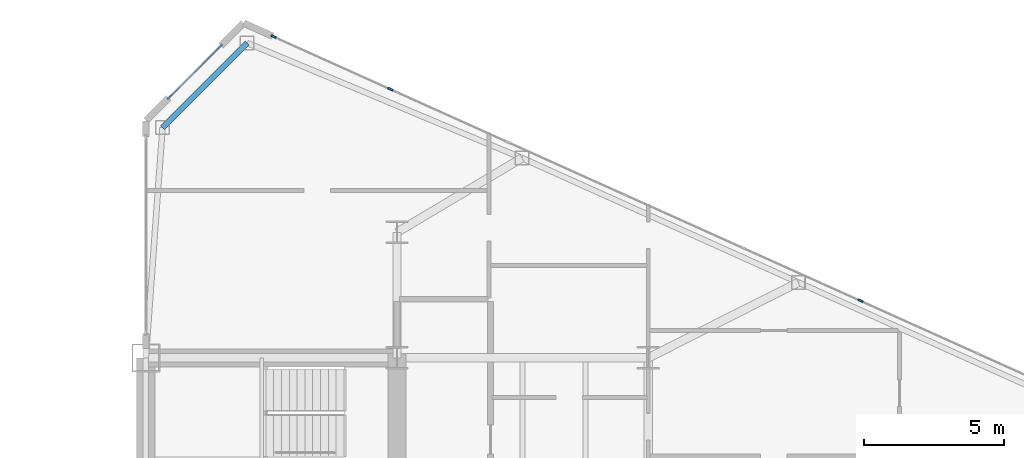
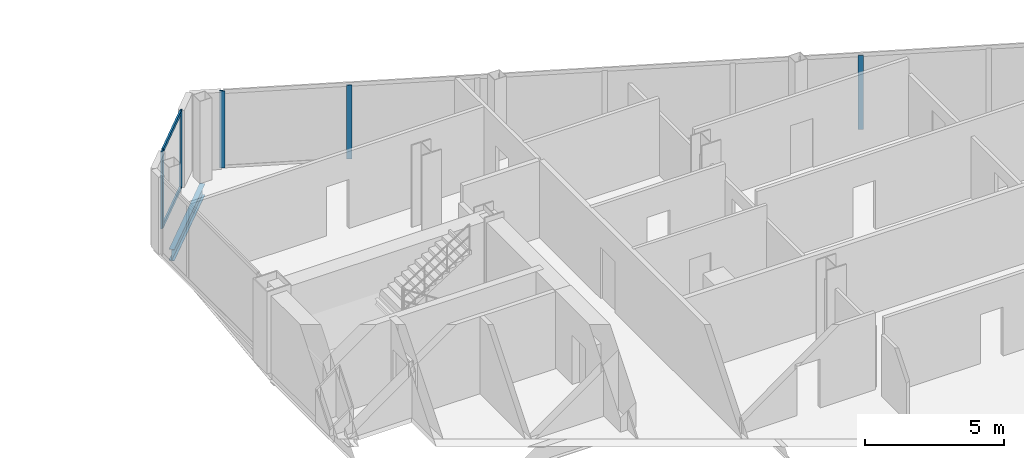
# One storey, part 15 of 27: 7 members, 1 beam, 2 elements without a shape of their own.
"""IFC4 building model written with IfcOpenShell, lengths in metres."""

from ifc_helpers import new_model, si_unit, direction, frame, origin, origin_2d, place, context, subcontext, project, spatial, rectangle, i_section, extrude, source, transform, mapped, material, layer, layer_set, material_profile, profile_set, type_object, type_shapes, element, aggregate, save


model = new_model("IFC4")

# Units and contexts
model_context = context("Model", 3, precision=1e-05, world=origin(), true_north=direction((0.0, 1.0)))
body_context = subcontext(model_context, "Body", "Model", "MODEL_VIEW")
ifc_project = project(units=[si_unit("LENGTHUNIT", "METRE"), si_unit("AREAUNIT", "SQUARE_METRE"), si_unit("VOLUMEUNIT", "CUBIC_METRE"), si_unit("PLANEANGLEUNIT", "RADIAN"), si_unit("MASSUNIT", "GRAM", prefix="KILO")], contexts=[model_context])

# Site, building, storey
site_placement = place(None, origin())
site = spatial("IfcSite", under=ifc_project, at=site_placement, CompositionType="ELEMENT")
building_placement = place(site_placement, origin())
building = spatial("IfcBuilding", under=site, at=building_placement, Name="Seokmaru Belvedere", CompositionType="ELEMENT")
storey_placement = place(building_placement, frame((0.0, 0.0, 72.89990234375)))
storey = spatial("IfcBuildingStorey", under=building, at=storey_placement, Name="L19", CompositionType="ELEMENT", Elevation=72.89990234375)

# Beam
ifc_material_1 = material(Name="Steel SM355 (355 MPa)", Category="steel")
ifc_material_profile_1 = material_profile(ifc_material_1, i_section(OverallWidth=0.199951171875, OverallDepth=0.5, WebThickness=0.010009765625, FlangeThickness=0.01611328125, at=origin_2d()), Name="H-500x200x10x16")
ifc_profile_set_1 = profile_set([ifc_material_profile_1], Name="Steel SM355 (355 MPa)")
beam_type = type_object("IfcBeamType", Name="Perimeter Spandrel Beam H-500", PredefinedType="SPANDREL", material=ifc_profile_set_1)
shared_shape_1 = source(origin(), body_context, "Body", "SweptSolid", [
    extrude(i_section(OverallWidth=0.199951171875, OverallDepth=0.5, WebThickness=0.010009765625, FlangeThickness=0.01611328125, at=origin_2d()), origin(), (0.0, 0.0, 1.0), 4.287109375),
])
type_shapes(beam_type, [shared_shape_1])
beam_placement = place(storey_placement, frame((31.13134765625, 24.782958984375, -0.469970703125), z_axis=(-0.707078306132, -0.707135255094, 0.0), x_axis=(0.707135255094, -0.707078306132, 0.0)))
element("IfcBeam", 1, at=beam_placement, inside=storey, type_object=beam_type, Name="L19 E Shoulder Chamfer Spandrel N", PredefinedType="SPANDREL", context=body_context, shape_type="MappedRepresentation", body=[
    mapped(shared_shape_1, transform((0.0, 0.0, 0.0), scale=1.0)),
])

# Curtain wall, members
ifc_material_2 = material(Name="Bronze Triple Insulating Glass", Category="glass")
ifc_layer = layer(ifc_material_2, 0.195068359375)
ifc_layer_set = layer_set([ifc_layer], Name="Bronze Triple Insulating Glass")
curtain_wall_type = type_object("IfcCurtainWallType", Name="Lower-Mid Tapered Curtain Wall System CW-3", PredefinedType="NOTDEFINED", material=ifc_layer_set)
curtain_wall_1_placement = place(storey_placement, origin())
curtain_wall_1 = element("IfcCurtainWall", 2, at=curtain_wall_1_placement, inside=storey, type_object=curtain_wall_type, Name="L19 Curtain Wall EF4", PredefinedType="NOTDEFINED")
ifc_material_3 = material(Name="Anodised Bronze Aluminium", Category="aluminium")
ifc_material_profile_2 = material_profile(ifc_material_3, rectangle(XDim=0.070068359375, YDim=0.1650390625, at=origin_2d()), Name="CW-T-70x165")
ifc_profile_set_2 = profile_set([ifc_material_profile_2], Name="Anodised Bronze Aluminium")
member_type_1 = type_object("IfcMemberType", Name="Bronze Unitised Transom 70x165", PredefinedType="USERDEFINED", material=ifc_profile_set_2)
shared_shape_2 = source(origin(), body_context, "Body", "SweptSolid", [
    extrude(rectangle(XDim=0.070068359375, YDim=0.1650390625, at=origin_2d()), origin(), (0.0, 0.0, 1.0), 2.509521484375),
])
type_shapes(member_type_1, [shared_shape_2])
member_1_placement = place(storey_placement, frame((30.13720703125, 24.63720703125, 0.03515625), z_axis=(-0.707106781187, -0.707106781187, 0.0), x_axis=(0.707106781187, -0.707106781187, 0.0)))
member_1 = element("IfcMember", 3, at=member_1_placement, type_object=member_type_1, Name="CW:L19:EF4 Continuous Transom 1", ObjectType="TRANSOM", PredefinedType="USERDEFINED", context=body_context, shape_type="MappedRepresentation", body=[
    mapped(shared_shape_2, transform((0.0, 0.0, 0.0), scale=1.0)),
])
member_2_placement = place(storey_placement, frame((30.13720703125, 24.63720703125, 3.34521484375), z_axis=(-0.707106781187, -0.707106781187, 0.0), x_axis=(0.707106781187, -0.707106781187, 0.0)))
member_2 = element("IfcMember", 4, at=member_2_placement, type_object=member_type_1, Name="CW:L19:EF4 Continuous Transom 2", ObjectType="TRANSOM", PredefinedType="USERDEFINED", context=body_context, shape_type="MappedRepresentation", body=[
    mapped(shared_shape_2, transform((0.0, 0.0, 0.0), scale=1.0)),
])

curtain_wall_2_placement = place(storey_placement, origin())
curtain_wall_2 = element("IfcCurtainWall", 5, at=curtain_wall_2_placement, inside=storey, type_object=curtain_wall_type, Name="L19 Curtain Wall EF3", PredefinedType="NOTDEFINED")
ifc_material_profile_3 = material_profile(ifc_material_3, rectangle(XDim=0.070068359375, YDim=0.195068359375, at=origin_2d()), Name="CW-M-70x195")
ifc_profile_set_3 = profile_set([ifc_material_profile_3], Name="Anodised Bronze Aluminium")
member_type_2 = type_object("IfcMemberType", Name="Bronze Unitised Mullion 70x195", PredefinedType="MULLION", material=ifc_profile_set_3)
shared_shape_3 = source(origin(), body_context, "Body", "SweptSolid", [
    extrude(rectangle(XDim=0.070068359375, YDim=0.195068359375, at=origin_2d()), origin(), (0.0, 0.0, 1.0), 3.239990234375),
])
member_3_placement = place(storey_placement, frame((53.105712890625, 15.552490234375, 0.070068359375), z_axis=(0.0, 0.0, 1.0), x_axis=(-0.41036554765, -0.91192111353, 0.0)))
member_3 = element("IfcMember", 6, at=member_3_placement, type_object=member_type_2, Name="CW:L19:EF3 Mullion 5", PredefinedType="MULLION", context=body_context, shape_type="MappedRepresentation", body=[
    mapped(shared_shape_3, transform((0.0, 0.0, 0.0), scale=1.0)),
])
member_4_placement = place(storey_placement, frame((36.260009765625, 23.133056640625, 0.070068359375), z_axis=(0.0, 0.0, 1.0), x_axis=(-0.41036554765, -0.91192111353, 0.0)))
member_4 = element("IfcMember", 7, at=member_4_placement, type_object=member_type_2, Name="CW:L19:EF3 Mullion 9", PredefinedType="MULLION", context=body_context, shape_type="MappedRepresentation", body=[
    mapped(shared_shape_3, transform((0.0, 0.0, 0.0), scale=1.0)),
])
shared_shape_4 = source(origin(), body_context, "Body", "SweptSolid", [
    extrude(rectangle(XDim=0.070068359375, YDim=0.195068359375, at=origin_2d()), origin(), (0.0, 0.0, 1.0), 3.380126953125),
])
type_shapes(member_type_2, [shared_shape_3, shared_shape_4])
member_5_placement = place(storey_placement, frame((32.08056640625, 25.013671875, 0.0), z_axis=(0.0, 0.0, 1.0), x_axis=(-0.41036554765, -0.91192111353, 0.0)))
member_5 = element("IfcMember", 8, at=member_5_placement, type_object=member_type_2, Name="CW:L19:EF3 Mullion 10", PredefinedType="MULLION", context=body_context, shape_type="MappedRepresentation", body=[
    mapped(shared_shape_4, transform((0.0, 0.0, 0.0), scale=1.0)),
])
aggregate(curtain_wall_2, [member_3, member_4, member_5])

# Member
member_6_placement = place(storey_placement, frame((30.162109375, 24.662109375, 0.0), z_axis=(0.0, 0.0, 1.0), x_axis=(0.707106781187, -0.707106781187, 0.0)))
member_6 = element("IfcMember", 9, at=member_6_placement, type_object=member_type_2, Name="CW:L19:EF4 Mullion 1", PredefinedType="MULLION", context=body_context, shape_type="MappedRepresentation", body=[
    mapped(shared_shape_4, transform((0.0, 0.0, 0.0), scale=1.0)),
])

member_7_placement = place(storey_placement, frame((28.337890625, 22.837890625, 0.0), z_axis=(0.0, 0.0, 1.0), x_axis=(0.707106781187, -0.707106781187, 0.0)))
member_7 = element("IfcMember", 10, at=member_7_placement, type_object=member_type_2, Name="CW:L19:EF4 Mullion 2", PredefinedType="MULLION", context=body_context, shape_type="MappedRepresentation", body=[
    mapped(shared_shape_4, transform((0.0, 0.0, 0.0), scale=1.0)),
])

aggregate(curtain_wall_1, [member_6, member_7, member_1, member_2])

save(model, "model.ifc")
